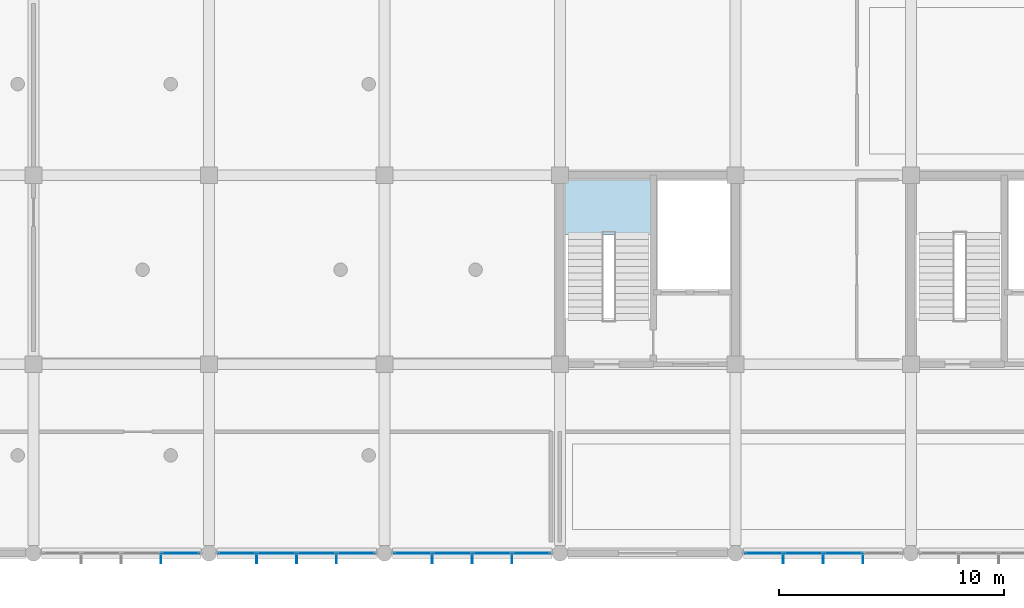
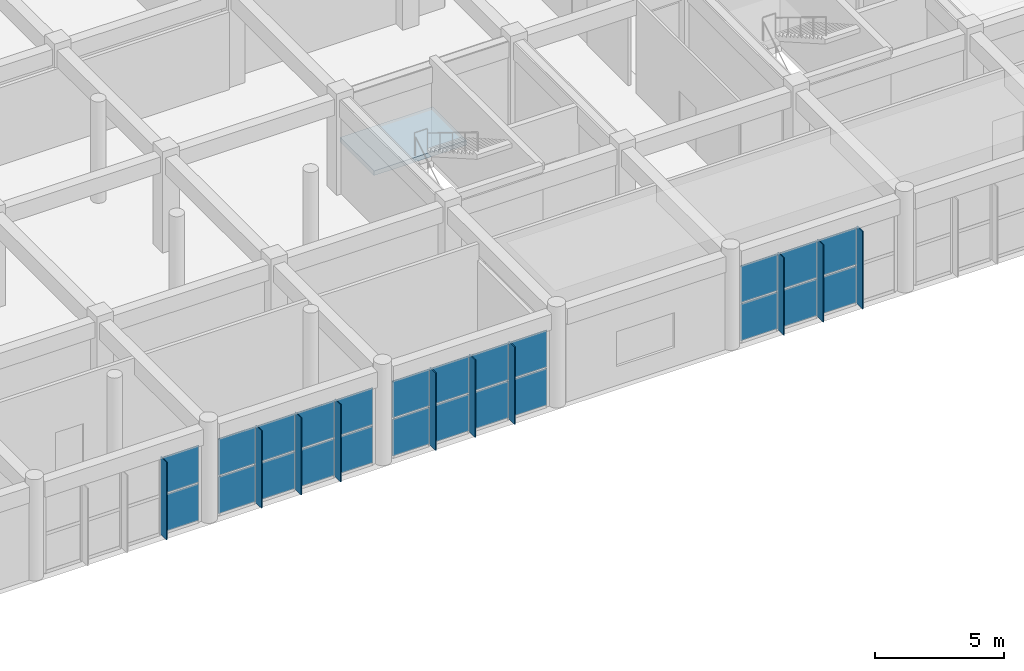
# One storey, part 133 of 175: 34 plates, 1 slab, 5 elements without a shape of their own.
"""IFC4 building model written with IfcOpenShell, lengths in metres."""

from ifc_helpers import new_model, si_unit, direction, frame, origin, origin_2d, place, context, subcontext, project, spatial, polyline, rectangle, outline, extrude, material, layer, layer_set, type_object, element, aggregate, save


model = new_model("IFC4")

# Units and contexts
model_context = context("Model", 3, precision=1e-05, world=origin(), true_north=direction((0.0, 1.0)))
body_context = subcontext(model_context, "Body", "Model", "MODEL_VIEW")
ifc_project = project(units=[si_unit("LENGTHUNIT", "METRE"), si_unit("AREAUNIT", "SQUARE_METRE"), si_unit("VOLUMEUNIT", "CUBIC_METRE"), si_unit("PLANEANGLEUNIT", "RADIAN"), si_unit("MASSUNIT", "GRAM", prefix="KILO")], contexts=[model_context])

# Site, building, storey
site_placement = place(None, origin())
site = spatial("IfcSite", under=ifc_project, at=site_placement, CompositionType="ELEMENT")
building_placement = place(site_placement, origin())
building = spatial("IfcBuilding", under=site, at=building_placement, Name="Zizhar Promenade General Hospital", CompositionType="ELEMENT")
storey_placement = place(building_placement, frame((0.0, 0.0, 4.800048828125)))
storey = spatial("IfcBuildingStorey", under=building, at=storey_placement, Name="L01", CompositionType="ELEMENT", Elevation=4.800048828125)

# Curtain wall, plates
ifc_material_1 = material(Name="Anodised aluminium 6063-T6 and low-E glass", Category="aluminium")
ifc_layer_1 = layer(ifc_material_1, 0.159912109375)
ifc_layer_set_1 = layer_set([ifc_layer_1], Name="Anodised aluminium 6063-T6 and low-E glass")
curtain_wall_type = type_object("IfcCurtainWallType", Name="CW-DT-MOD1", PredefinedType="NOTDEFINED", material=ifc_layer_set_1)
curtain_wall_1_placement = place(storey_placement, origin())
curtain_wall_1 = element("IfcCurtainWall", 1, at=curtain_wall_1_placement, inside=storey, type_object=curtain_wall_type, Name="Riverfront Clinical Curtain Wall L01-2", PredefinedType="NOTDEFINED")
ifc_material_2 = material(Name="Low-E solar-control glass", Category="glass")
ifc_layer_2 = layer(ifc_material_2, 0.031982421875)
ifc_layer_set_2 = layer_set([ifc_layer_2], Name="Low-E solar-control glass")
plate_type_1 = type_object("IfcPlateType", Name="CWP-GLZ-32", PredefinedType="CURTAIN_PANEL", material=ifc_layer_set_2)
plate_1_placement = place(storey_placement, frame((29.93505859375, 0.0, 0.06005859375), z_axis=(0.0, 0.0, 1.0), x_axis=(-1.0, 0.0, 0.0)))
plate_1 = element("IfcPlate", 2, at=plate_1_placement, type_object=plate_type_1, Name="CW-07 panel 1.1", PredefinedType="CURTAIN_PANEL", context=body_context, shape_type="SweptSolid", body=[
    extrude(rectangle(XDim=1.64990234375, YDim=0.031982421875, at=origin_2d()), origin(), (0.0, 0.0, 1.0), 1.75),
])
plate_2_placement = place(storey_placement, frame((29.93505859375, 0.0, 1.869873046875), z_axis=(0.0, 0.0, 1.0), x_axis=(-1.0, 0.0, 0.0)))
plate_2 = element("IfcPlate", 3, at=plate_2_placement, type_object=plate_type_1, Name="CW-07 panel 1.2", PredefinedType="CURTAIN_PANEL", context=body_context, shape_type="SweptSolid", body=[
    extrude(rectangle(XDim=1.64990234375, YDim=0.031982421875, at=origin_2d()), origin(), (0.0, 0.0, 1.0), 1.75),
])
aggregate(curtain_wall_1, [plate_1, plate_2])

curtain_wall_2_placement = place(storey_placement, origin())
curtain_wall_2 = element("IfcCurtainWall", 4, at=curtain_wall_2_placement, inside=storey, type_object=curtain_wall_type, Name="Riverfront Clinical Curtain Wall L01-3", PredefinedType="NOTDEFINED")
plate_3_placement = place(storey_placement, frame((37.735107421875, 0.0, 0.06005859375), z_axis=(0.0, 0.0, 1.0), x_axis=(-1.0, 0.0, 0.0)))
plate_3 = element("IfcPlate", 5, at=plate_3_placement, type_object=plate_type_1, Name="CW-07 panel 1.1", PredefinedType="CURTAIN_PANEL", context=body_context, shape_type="SweptSolid", body=[
    extrude(rectangle(XDim=1.64990234375, YDim=0.031982421875, at=origin_2d()), origin(), (0.0, 0.0, 1.0), 1.75),
])
plate_4_placement = place(storey_placement, frame((37.735107421875, 0.0, 1.869873046875), z_axis=(0.0, 0.0, 1.0), x_axis=(-1.0, 0.0, 0.0)))
plate_4 = element("IfcPlate", 6, at=plate_4_placement, type_object=plate_type_1, Name="CW-07 panel 1.2", PredefinedType="CURTAIN_PANEL", context=body_context, shape_type="SweptSolid", body=[
    extrude(rectangle(XDim=1.64990234375, YDim=0.031982421875, at=origin_2d()), origin(), (0.0, 0.0, 1.0), 1.75),
])
plate_5_placement = place(storey_placement, frame((35.985107421875, 0.0, 0.06005859375), z_axis=(0.0, 0.0, 1.0), x_axis=(-1.0, 0.0, 0.0)))
plate_5 = element("IfcPlate", 7, at=plate_5_placement, type_object=plate_type_1, Name="CW-07 panel 2.1", PredefinedType="CURTAIN_PANEL", context=body_context, shape_type="SweptSolid", body=[
    extrude(rectangle(XDim=1.68994140625, YDim=0.031982421875, at=origin_2d()), origin(), (0.0, 0.0, 1.0), 1.75),
])
plate_6_placement = place(storey_placement, frame((35.985107421875, 0.0, 1.869873046875), z_axis=(0.0, 0.0, 1.0), x_axis=(-1.0, 0.0, 0.0)))
plate_6 = element("IfcPlate", 8, at=plate_6_placement, type_object=plate_type_1, Name="CW-07 panel 2.2", PredefinedType="CURTAIN_PANEL", context=body_context, shape_type="SweptSolid", body=[
    extrude(rectangle(XDim=1.68994140625, YDim=0.031982421875, at=origin_2d()), origin(), (0.0, 0.0, 1.0), 1.75),
])
plate_7_placement = place(storey_placement, frame((34.215087890625, 0.0, 0.06005859375), z_axis=(0.0, 0.0, 1.0), x_axis=(-1.0, 0.0, 0.0)))
plate_7 = element("IfcPlate", 9, at=plate_7_placement, type_object=plate_type_1, Name="CW-07 panel 3.1", PredefinedType="CURTAIN_PANEL", context=body_context, shape_type="SweptSolid", body=[
    extrude(rectangle(XDim=1.68994140625, YDim=0.031982421875, at=origin_2d()), origin(), (0.0, 0.0, 1.0), 1.75),
])
plate_8_placement = place(storey_placement, frame((34.215087890625, 0.0, 1.869873046875), z_axis=(0.0, 0.0, 1.0), x_axis=(-1.0, 0.0, 0.0)))
plate_8 = element("IfcPlate", 10, at=plate_8_placement, type_object=plate_type_1, Name="CW-07 panel 3.2", PredefinedType="CURTAIN_PANEL", context=body_context, shape_type="SweptSolid", body=[
    extrude(rectangle(XDim=1.68994140625, YDim=0.031982421875, at=origin_2d()), origin(), (0.0, 0.0, 1.0), 1.75),
])
plate_9_placement = place(storey_placement, frame((32.465087890625, 0.0, 0.06005859375), z_axis=(0.0, 0.0, 1.0), x_axis=(-1.0, 0.0, 0.0)))
plate_9 = element("IfcPlate", 11, at=plate_9_placement, type_object=plate_type_1, Name="CW-07 panel 4.1", PredefinedType="CURTAIN_PANEL", context=body_context, shape_type="SweptSolid", body=[
    extrude(rectangle(XDim=1.64990234375, YDim=0.031982421875, at=origin_2d()), origin(), (0.0, 0.0, 1.0), 1.75),
])
plate_10_placement = place(storey_placement, frame((32.465087890625, 0.0, 1.869873046875), z_axis=(0.0, 0.0, 1.0), x_axis=(-1.0, 0.0, 0.0)))
plate_10 = element("IfcPlate", 12, at=plate_10_placement, type_object=plate_type_1, Name="CW-07 panel 4.2", PredefinedType="CURTAIN_PANEL", context=body_context, shape_type="SweptSolid", body=[
    extrude(rectangle(XDim=1.64990234375, YDim=0.031982421875, at=origin_2d()), origin(), (0.0, 0.0, 1.0), 1.75),
])
aggregate(curtain_wall_2, [plate_3, plate_4, plate_5, plate_6, plate_7, plate_8, plate_9, plate_10])

curtain_wall_3_placement = place(storey_placement, origin())
curtain_wall_3 = element("IfcCurtainWall", 13, at=curtain_wall_3_placement, inside=storey, type_object=curtain_wall_type, Name="Riverfront Clinical Curtain Wall L01-4", PredefinedType="NOTDEFINED")
plate_11_placement = place(storey_placement, frame((45.534912109375, 0.0, 0.06005859375), z_axis=(0.0, 0.0, 1.0), x_axis=(-1.0, 0.0, 0.0)))
plate_11 = element("IfcPlate", 14, at=plate_11_placement, type_object=plate_type_1, Name="CW-07 panel 1.1", PredefinedType="CURTAIN_PANEL", context=body_context, shape_type="SweptSolid", body=[
    extrude(rectangle(XDim=1.64990234375, YDim=0.031982421875, at=origin_2d()), origin(), (0.0, 0.0, 1.0), 1.75),
])
plate_12_placement = place(storey_placement, frame((45.534912109375, 0.0, 1.869873046875), z_axis=(0.0, 0.0, 1.0), x_axis=(-1.0, 0.0, 0.0)))
plate_12 = element("IfcPlate", 15, at=plate_12_placement, type_object=plate_type_1, Name="CW-07 panel 1.2", PredefinedType="CURTAIN_PANEL", context=body_context, shape_type="SweptSolid", body=[
    extrude(rectangle(XDim=1.64990234375, YDim=0.031982421875, at=origin_2d()), origin(), (0.0, 0.0, 1.0), 1.75),
])
plate_13_placement = place(storey_placement, frame((43.784912109375, 0.0, 0.06005859375), z_axis=(0.0, 0.0, 1.0), x_axis=(-1.0, 0.0, 0.0)))
plate_13 = element("IfcPlate", 16, at=plate_13_placement, type_object=plate_type_1, Name="CW-07 panel 2.1", PredefinedType="CURTAIN_PANEL", context=body_context, shape_type="SweptSolid", body=[
    extrude(rectangle(XDim=1.68994140625, YDim=0.031982421875, at=origin_2d()), origin(), (0.0, 0.0, 1.0), 1.75),
])
plate_14_placement = place(storey_placement, frame((43.784912109375, 0.0, 1.869873046875), z_axis=(0.0, 0.0, 1.0), x_axis=(-1.0, 0.0, 0.0)))
plate_14 = element("IfcPlate", 17, at=plate_14_placement, type_object=plate_type_1, Name="CW-07 panel 2.2", PredefinedType="CURTAIN_PANEL", context=body_context, shape_type="SweptSolid", body=[
    extrude(rectangle(XDim=1.68994140625, YDim=0.031982421875, at=origin_2d()), origin(), (0.0, 0.0, 1.0), 1.75),
])
plate_15_placement = place(storey_placement, frame((42.014892578125, 0.0, 0.06005859375), z_axis=(0.0, 0.0, 1.0), x_axis=(-1.0, 0.0, 0.0)))
plate_15 = element("IfcPlate", 18, at=plate_15_placement, type_object=plate_type_1, Name="CW-07 panel 3.1", PredefinedType="CURTAIN_PANEL", context=body_context, shape_type="SweptSolid", body=[
    extrude(rectangle(XDim=1.68994140625, YDim=0.031982421875, at=origin_2d()), origin(), (0.0, 0.0, 1.0), 1.75),
])
plate_16_placement = place(storey_placement, frame((42.014892578125, 0.0, 1.869873046875), z_axis=(0.0, 0.0, 1.0), x_axis=(-1.0, 0.0, 0.0)))
plate_16 = element("IfcPlate", 19, at=plate_16_placement, type_object=plate_type_1, Name="CW-07 panel 3.2", PredefinedType="CURTAIN_PANEL", context=body_context, shape_type="SweptSolid", body=[
    extrude(rectangle(XDim=1.68994140625, YDim=0.031982421875, at=origin_2d()), origin(), (0.0, 0.0, 1.0), 1.75),
])
plate_17_placement = place(storey_placement, frame((40.264892578125, 0.0, 0.06005859375), z_axis=(0.0, 0.0, 1.0), x_axis=(-1.0, 0.0, 0.0)))
plate_17 = element("IfcPlate", 20, at=plate_17_placement, type_object=plate_type_1, Name="CW-07 panel 4.1", PredefinedType="CURTAIN_PANEL", context=body_context, shape_type="SweptSolid", body=[
    extrude(rectangle(XDim=1.64990234375, YDim=0.031982421875, at=origin_2d()), origin(), (0.0, 0.0, 1.0), 1.75),
])
plate_18_placement = place(storey_placement, frame((40.264892578125, 0.0, 1.869873046875), z_axis=(0.0, 0.0, 1.0), x_axis=(-1.0, 0.0, 0.0)))
plate_18 = element("IfcPlate", 21, at=plate_18_placement, type_object=plate_type_1, Name="CW-07 panel 4.2", PredefinedType="CURTAIN_PANEL", context=body_context, shape_type="SweptSolid", body=[
    extrude(rectangle(XDim=1.64990234375, YDim=0.031982421875, at=origin_2d()), origin(), (0.0, 0.0, 1.0), 1.75),
])
aggregate(curtain_wall_3, [plate_11, plate_12, plate_13, plate_14, plate_15, plate_16, plate_17, plate_18])

curtain_wall_4_placement = place(storey_placement, origin())
curtain_wall_4 = element("IfcCurtainWall", 22, at=curtain_wall_4_placement, inside=storey, type_object=curtain_wall_type, Name="Riverfront Clinical Curtain Wall L01-6", PredefinedType="NOTDEFINED")
plate_19_placement = place(storey_placement, frame((59.385009765625, 0.0, 0.06005859375), z_axis=(0.0, 0.0, 1.0), x_axis=(-1.0, 0.0, 0.0)))
plate_19 = element("IfcPlate", 23, at=plate_19_placement, type_object=plate_type_1, Name="CW-07 panel 2.1", PredefinedType="CURTAIN_PANEL", context=body_context, shape_type="SweptSolid", body=[
    extrude(rectangle(XDim=1.68994140625, YDim=0.031982421875, at=origin_2d()), origin(), (0.0, 0.0, 1.0), 1.75),
])
plate_20_placement = place(storey_placement, frame((59.385009765625, 0.0, 1.869873046875), z_axis=(0.0, 0.0, 1.0), x_axis=(-1.0, 0.0, 0.0)))
plate_20 = element("IfcPlate", 24, at=plate_20_placement, type_object=plate_type_1, Name="CW-07 panel 2.2", PredefinedType="CURTAIN_PANEL", context=body_context, shape_type="SweptSolid", body=[
    extrude(rectangle(XDim=1.68994140625, YDim=0.031982421875, at=origin_2d()), origin(), (0.0, 0.0, 1.0), 1.75),
])
plate_21_placement = place(storey_placement, frame((57.614990234375, 0.0, 0.06005859375), z_axis=(0.0, 0.0, 1.0), x_axis=(-1.0, 0.0, 0.0)))
plate_21 = element("IfcPlate", 25, at=plate_21_placement, type_object=plate_type_1, Name="CW-07 panel 3.1", PredefinedType="CURTAIN_PANEL", context=body_context, shape_type="SweptSolid", body=[
    extrude(rectangle(XDim=1.68994140625, YDim=0.031982421875, at=origin_2d()), origin(), (0.0, 0.0, 1.0), 1.75),
])
plate_22_placement = place(storey_placement, frame((57.614990234375, 0.0, 1.869873046875), z_axis=(0.0, 0.0, 1.0), x_axis=(-1.0, 0.0, 0.0)))
plate_22 = element("IfcPlate", 26, at=plate_22_placement, type_object=plate_type_1, Name="CW-07 panel 3.2", PredefinedType="CURTAIN_PANEL", context=body_context, shape_type="SweptSolid", body=[
    extrude(rectangle(XDim=1.68994140625, YDim=0.031982421875, at=origin_2d()), origin(), (0.0, 0.0, 1.0), 1.75),
])
plate_23_placement = place(storey_placement, frame((55.864990234375, 0.0, 0.06005859375), z_axis=(0.0, 0.0, 1.0), x_axis=(-1.0, 0.0, 0.0)))
plate_23 = element("IfcPlate", 27, at=plate_23_placement, type_object=plate_type_1, Name="CW-07 panel 4.1", PredefinedType="CURTAIN_PANEL", context=body_context, shape_type="SweptSolid", body=[
    extrude(rectangle(XDim=1.64990234375, YDim=0.031982421875, at=origin_2d()), origin(), (0.0, 0.0, 1.0), 1.75),
])
plate_24_placement = place(storey_placement, frame((55.864990234375, 0.0, 1.869873046875), z_axis=(0.0, 0.0, 1.0), x_axis=(-1.0, 0.0, 0.0)))
plate_24 = element("IfcPlate", 28, at=plate_24_placement, type_object=plate_type_1, Name="CW-07 panel 4.2", PredefinedType="CURTAIN_PANEL", context=body_context, shape_type="SweptSolid", body=[
    extrude(rectangle(XDim=1.64990234375, YDim=0.031982421875, at=origin_2d()), origin(), (0.0, 0.0, 1.0), 1.75),
])
aggregate(curtain_wall_4, [plate_19, plate_20, plate_21, plate_22, plate_23, plate_24])

# Plates
ifc_material_3 = material(Name="Anodised aluminium 6063-T6", Category="aluminium")
ifc_layer_3 = layer(ifc_material_3, 0.0400390625)
ifc_layer_set_3 = layer_set([ifc_layer_3], Name="Anodised aluminium 6063-T6")
plate_type_2 = type_object("IfcPlateType", Name="FIN-ALU-450", PredefinedType="USERDEFINED", material=ifc_layer_set_3)
plate_25_placement = place(storey_placement, origin())
element("IfcPlate", 29, at=plate_25_placement, inside=storey, type_object=plate_type_2, Name="Riverfront Clinical Curtain Wall L01-2 Solar Fin 1", ObjectType="SOLAR_SHADE", PredefinedType="USERDEFINED", context=body_context, shape_type="SweptSolid", body=[
    extrude(outline(polyline([(29.090087890625, 0.0), (29.050048828125, 0.0), (29.050048828125, -0.449951171875), (29.090087890625, -0.449951171875), (29.090087890625, 0.0)])), origin(), (0.0, 0.0, 1.0), 3.679931640625),
])
plate_26_placement = place(storey_placement, origin())
element("IfcPlate", 30, at=plate_26_placement, inside=storey, type_object=plate_type_2, Name="Riverfront Clinical Curtain Wall L01-3 Solar Fin 1", ObjectType="SOLAR_SHADE", PredefinedType="USERDEFINED", context=body_context, shape_type="SweptSolid", body=[
    extrude(outline(polyline([(36.889892578125, 0.0), (36.85009765625, 0.0), (36.85009765625, -0.449951171875), (36.889892578125, -0.449951171875), (36.889892578125, 0.0)])), origin(), (0.0, 0.0, 1.0), 3.679931640625),
])
plate_27_placement = place(storey_placement, origin())
element("IfcPlate", 31, at=plate_27_placement, inside=storey, type_object=plate_type_2, Name="Riverfront Clinical Curtain Wall L01-3 Solar Fin 2", ObjectType="SOLAR_SHADE", PredefinedType="USERDEFINED", context=body_context, shape_type="SweptSolid", body=[
    extrude(outline(polyline([(35.1201171875, 0.0), (35.080078125, 0.0), (35.080078125, -0.449951171875), (35.1201171875, -0.449951171875), (35.1201171875, 0.0)])), origin(), (0.0, 0.0, 1.0), 3.679931640625),
])
plate_28_placement = place(storey_placement, origin())
element("IfcPlate", 32, at=plate_28_placement, inside=storey, type_object=plate_type_2, Name="Riverfront Clinical Curtain Wall L01-3 Solar Fin 3", ObjectType="SOLAR_SHADE", PredefinedType="USERDEFINED", context=body_context, shape_type="SweptSolid", body=[
    extrude(outline(polyline([(33.35009765625, 0.0), (33.31005859375, 0.0), (33.31005859375, -0.449951171875), (33.35009765625, -0.449951171875), (33.35009765625, 0.0)])), origin(), (0.0, 0.0, 1.0), 3.679931640625),
])
plate_29_placement = place(storey_placement, origin())
element("IfcPlate", 33, at=plate_29_placement, inside=storey, type_object=plate_type_2, Name="Riverfront Clinical Curtain Wall L01-4 Solar Fin 1", ObjectType="SOLAR_SHADE", PredefinedType="USERDEFINED", context=body_context, shape_type="SweptSolid", body=[
    extrude(outline(polyline([(44.68994140625, 0.0), (44.64990234375, 0.0), (44.64990234375, -0.449951171875), (44.68994140625, -0.449951171875), (44.68994140625, 0.0)])), origin(), (0.0, 0.0, 1.0), 3.679931640625),
])
plate_30_placement = place(storey_placement, origin())
element("IfcPlate", 34, at=plate_30_placement, inside=storey, type_object=plate_type_2, Name="Riverfront Clinical Curtain Wall L01-4 Solar Fin 2", ObjectType="SOLAR_SHADE", PredefinedType="USERDEFINED", context=body_context, shape_type="SweptSolid", body=[
    extrude(outline(polyline([(42.919921875, 0.0), (42.8798828125, 0.0), (42.8798828125, -0.449951171875), (42.919921875, -0.449951171875), (42.919921875, 0.0)])), origin(), (0.0, 0.0, 1.0), 3.679931640625),
])
plate_31_placement = place(storey_placement, origin())
element("IfcPlate", 35, at=plate_31_placement, inside=storey, type_object=plate_type_2, Name="Riverfront Clinical Curtain Wall L01-4 Solar Fin 3", ObjectType="SOLAR_SHADE", PredefinedType="USERDEFINED", context=body_context, shape_type="SweptSolid", body=[
    extrude(outline(polyline([(41.14990234375, 0.0), (41.110107421875, 0.0), (41.110107421875, -0.449951171875), (41.14990234375, -0.449951171875), (41.14990234375, 0.0)])), origin(), (0.0, 0.0, 1.0), 3.679931640625),
])
plate_32_placement = place(storey_placement, origin())
element("IfcPlate", 36, at=plate_32_placement, inside=storey, type_object=plate_type_2, Name="Riverfront Clinical Curtain Wall L01-6 Solar Fin 1", ObjectType="SOLAR_SHADE", PredefinedType="USERDEFINED", context=body_context, shape_type="SweptSolid", body=[
    extrude(outline(polyline([(60.2900390625, 0.0), (60.25, 0.0), (60.25, -0.449951171875), (60.2900390625, -0.449951171875), (60.2900390625, 0.0)])), origin(), (0.0, 0.0, 1.0), 3.679931640625),
])
plate_33_placement = place(storey_placement, origin())
element("IfcPlate", 37, at=plate_33_placement, inside=storey, type_object=plate_type_2, Name="Riverfront Clinical Curtain Wall L01-6 Solar Fin 2", ObjectType="SOLAR_SHADE", PredefinedType="USERDEFINED", context=body_context, shape_type="SweptSolid", body=[
    extrude(outline(polyline([(58.52001953125, 0.0), (58.47998046875, 0.0), (58.47998046875, -0.449951171875), (58.52001953125, -0.449951171875), (58.52001953125, 0.0)])), origin(), (0.0, 0.0, 1.0), 3.679931640625),
])
plate_34_placement = place(storey_placement, origin())
element("IfcPlate", 38, at=plate_34_placement, inside=storey, type_object=plate_type_2, Name="Riverfront Clinical Curtain Wall L01-6 Solar Fin 3", ObjectType="SOLAR_SHADE", PredefinedType="USERDEFINED", context=body_context, shape_type="SweptSolid", body=[
    extrude(outline(polyline([(56.75, 0.0), (56.7099609375, 0.0), (56.7099609375, -0.449951171875), (56.75, -0.449951171875), (56.75, 0.0)])), origin(), (0.0, 0.0, 1.0), 3.679931640625),
])

# Stair, slab
ifc_material_4 = material(Name="Concrete C35/45", Category="concrete")
stair_type = type_object("IfcStairType", Name="STR-DOG-480", PredefinedType="HALF_TURN_STAIR", material=ifc_material_4)
stair_placement = place(storey_placement, origin())
stair = element("IfcStair", 39, at=stair_placement, inside=storey, type_object=stair_type, Name="Exit Stair ST-02 (L01 to L02)", PredefinedType="HALF_TURN_STAIR")
ifc_material_5 = material(Name="Concrete C35/45", Category="concrete")
ifc_layer_4 = layer(ifc_material_5, 0.219970703125)
ifc_layer_set_4 = layer_set([ifc_layer_4], Name="Concrete C35/45")
slab_type = type_object("IfcSlabType", Name="SLB-LAND-480", PredefinedType="LANDING", material=ifc_layer_set_4)
slab_placement = place(storey_placement, frame((0.0, 0.0, 2.179931640625)))
slab = element("IfcSlab", 40, at=slab_placement, type_object=slab_type, Name="ST-02A landing 1", PredefinedType="LANDING", context=body_context, shape_type="SweptSolid", body=[
    extrude(outline(polyline([(46.800048828125, 14.169921875), (50.949951171875, 14.169921875), (50.949951171875, 16.800048828125), (46.800048828125, 16.800048828125), (46.800048828125, 14.169921875)])), origin(), (0.0, 0.0, 1.0), 0.219970703125),
])
aggregate(stair, [slab])

save(model, "model.ifc")
